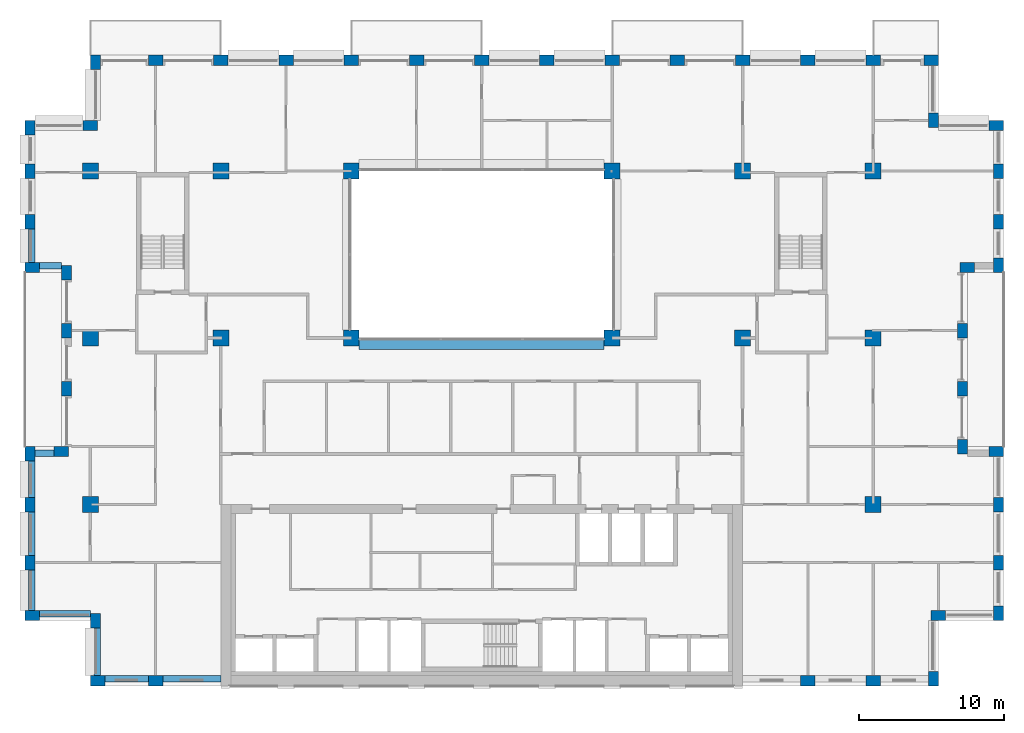
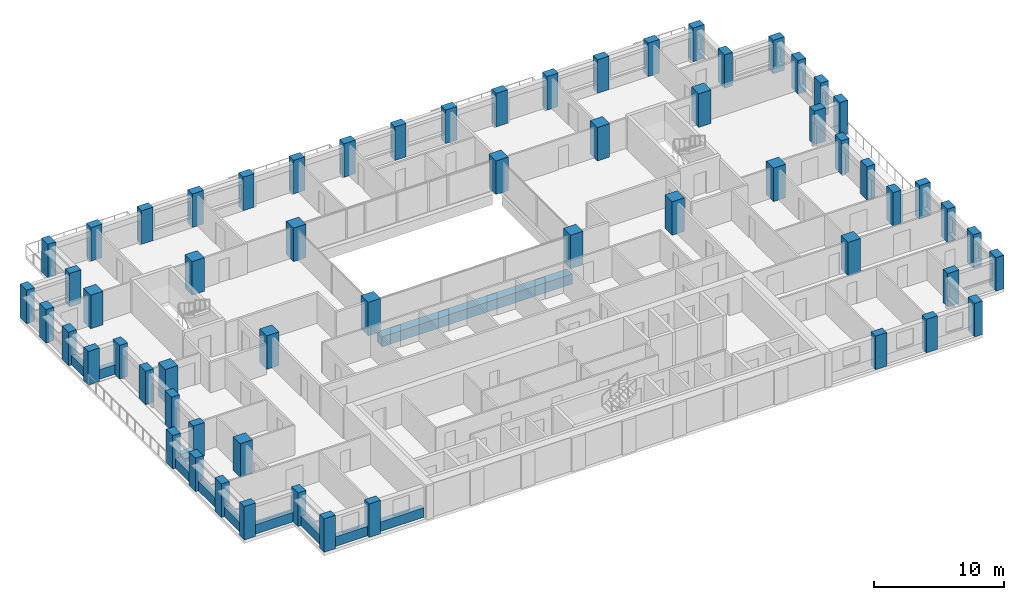
# One storey, part 1 of 15: 61 columns, 11 beams.
"""IFC4 building model written with IfcOpenShell, lengths in metres."""

from ifc_helpers import new_model, si_unit, direction, frame, origin, origin_2d, place, context, subcontext, project, spatial, rectangle, extrude, material, material_profile, profile_set, type_object, element, save


model = new_model("IFC4")

# Units and contexts
model_context = context("Model", 3, precision=1e-05, world=origin(), true_north=direction((0.0, 1.0)))
body_context = subcontext(model_context, "Body", "Model", "MODEL_VIEW")
ifc_project = project(units=[si_unit("LENGTHUNIT", "METRE"), si_unit("AREAUNIT", "SQUARE_METRE"), si_unit("VOLUMEUNIT", "CUBIC_METRE"), si_unit("PLANEANGLEUNIT", "RADIAN"), si_unit("MASSUNIT", "GRAM", prefix="KILO")], contexts=[model_context])

# Site, building, storey
site_placement = place(None, origin())
site = spatial("IfcSite", under=ifc_project, at=site_placement, CompositionType="ELEMENT")
building_placement = place(site_placement, origin())
building = spatial("IfcBuilding", under=site, at=building_placement, Name="Brigalow Station Residences", CompositionType="ELEMENT")
storey_placement = place(building_placement, frame((0.0, 0.0, 172.800048828125)))
storey = spatial("IfcBuildingStorey", under=building, at=storey_placement, Name="L50", CompositionType="ELEMENT", Elevation=172.800048828125)

# Columns
ifc_material_1 = material(Name="Concrete C65", Category="concrete")
ifc_material_profile_1 = material_profile(ifc_material_1, rectangle(XDim=1.10009765625, YDim=1.10009765625, at=origin_2d()), Name="RC1100x1100")
ifc_profile_set_1 = profile_set([ifc_material_profile_1], Name="Concrete C65")
column_type_1 = type_object("IfcColumnType", Name="COLUMN 1100x1100 C65", PredefinedType="COLUMN", material=ifc_profile_set_1)
for number, where, z_axis, x_axis, name in (
    (1, (9.0, 24.0, 0.0), (0.0, 0.0, 1.0), (1.0, 0.0, 0.0), "COLUMN C1 L50"),
    (2, (18.0, 24.0, 0.0), (0.0, 0.0, 1.0), (1.0, 0.0, 0.0), "COLUMN C2 L50"),
    (3, (27.0, 24.0, 0.0), (0.0, 0.0, 1.0), (1.0, 0.0, 0.0), "COLUMN C3 L50"),
    (4, (45.0, 24.0, 0.0), (0.0, 0.0, 1.0), (1.0, 0.0, 0.0), "COLUMN C5 L50"),
    (5, (54.0, 24.0, 0.0), (0.0, 0.0, 1.0), (1.0, 0.0, 0.0), "COLUMN C6 L50"),
    (6, (63.0, 24.0, 0.0), (0.0, 0.0, 1.0), (1.0, 0.0, 0.0), "COLUMN C7 L50"),
    (7, (9.0, 35.5, 0.0), (0.0, 0.0, 1.0), (1.0, 0.0, 0.0), "COLUMN D1 L50"),
    (8, (18.0, 35.5, 0.0), (0.0, 0.0, 1.0), (1.0, 0.0, 0.0), "COLUMN D2 L50"),
    (9, (27.0, 35.5, 0.0), (0.0, 0.0, 1.0), (1.0, 0.0, 0.0), "COLUMN D3 L50"),
    (10, (45.0, 35.5, 0.0), (0.0, 0.0, 1.0), (1.0, 0.0, 0.0), "COLUMN D5 L50"),
    (11, (54.0, 35.5, 0.0), (0.0, 0.0, 1.0), (1.0, 0.0, 0.0), "COLUMN D6 L50"),
    (12, (63.0, 35.5, 0.0), (0.0, 0.0, 1.0), (1.0, 0.0, 0.0), "COLUMN D7 L50"),
    (13, (9.0, 12.5, 0.0), (0.0, 0.0, 1.0), (1.0, 0.0, 0.0), "COLUMN B1 L50"),
    (14, (63.0, 12.5, 0.0), (0.0, 0.0, 1.0), (1.0, 0.0, 0.0), "COLUMN B7 L50"),
):
    element("IfcColumn", number, at=place(storey_placement, frame(where, z_axis=z_axis, x_axis=x_axis)), inside=storey, type_object=column_type_1, Name=name, PredefinedType="COLUMN", context=body_context, shape_type="SweptSolid", body=[
        extrude(rectangle(XDim=1.10009765625, YDim=1.10009765625, at=origin_2d()), origin(), (0.0, 0.0, 1.0), 3.14990234375),
    ])
ifc_material_2 = material(Name="Concrete C65", Category="concrete")
ifc_material_profile_2 = material_profile(ifc_material_2, rectangle(XDim=1.0, YDim=0.699951171875, at=origin_2d()), Name="RC1000x700")
ifc_profile_set_2 = profile_set([ifc_material_profile_2], Name="Concrete C65")
column_type_2 = type_object("IfcColumnType", Name="PIER 1000x700 C65", PredefinedType="USERDEFINED", material=ifc_profile_set_2)
for number, where, z_axis, x_axis, name in (
    (15, (9.5, 0.35009765625, 0.0), (0.0, 0.0, 1.0), (1.0, 0.0, 0.0), "PIER S-1 L50"),
    (16, (13.5, 0.35009765625, 0.0), (0.0, 0.0, 1.0), (1.0, 0.0, 0.0), "PIER S-2 L50"),
    (17, (58.5, 0.35009765625, 0.0), (0.0, 0.0, 1.0), (1.0, 0.0, 0.0), "PIER S-12 L50"),
    (18, (63.0, 0.35009765625, 0.0), (0.0, 0.0, 1.0), (1.0, 0.0, 0.0), "PIER S-13 L50"),
    (19, (67.14990234375, 0.5, 0.0), (0.0, 0.0, 1.0), (0.0, 1.0, 0.0), "PIER SE1-1 L50"),
    (20, (67.5, 4.85009765625, 0.0), (0.0, 0.0, 1.0), (1.0, 0.0, 0.0), "PIER SE2-1 L50"),
    (21, (71.64990234375, 5.0, 0.0), (0.0, 0.0, 1.0), (0.0, 1.0, 0.0), "PIER E1-1 L50"),
    (22, (71.64990234375, 8.5, 0.0), (0.0, 0.0, 1.0), (0.0, 1.0, 0.0), "PIER E1-2 L50"),
    (23, (71.64990234375, 12.5, 0.0), (0.0, 0.0, 1.0), (0.0, 1.0, 0.0), "PIER E1-3 L50"),
    (24, (71.5, 16.14990234375, 0.0), (0.0, 0.0, 1.0), (-1.0, 0.0, 0.0), "PIER EL1-1 L50"),
    (25, (69.14990234375, 16.5, 0.0), (0.0, 0.0, 1.0), (0.0, 1.0, 0.0), "PIER EL2-1 L50"),
    (26, (69.14990234375, 20.5, 0.0), (0.0, 0.0, 1.0), (0.0, 1.0, 0.0), "PIER EL2-2 L50"),
    (27, (69.14990234375, 24.5, 0.0), (0.0, 0.0, 1.0), (0.0, 1.0, 0.0), "PIER EL2-3 L50"),
    (28, (69.5, 28.85009765625, 0.0), (0.0, 0.0, 1.0), (1.0, 0.0, 0.0), "PIER EL3-1 L50"),
    (29, (71.64990234375, 29.0, 0.0), (0.0, 0.0, 1.0), (0.0, 1.0, 0.0), "PIER E2-1 L50"),
    (30, (71.64990234375, 32.0, 0.0), (0.0, 0.0, 1.0), (0.0, 1.0, 0.0), "PIER E2-2 L50"),
    (31, (71.64990234375, 35.5, 0.0), (0.0, 0.0, 1.0), (0.0, 1.0, 0.0), "PIER E2-3 L50"),
    (32, (71.5, 38.64990234375, 0.0), (0.0, 0.0, 1.0), (-1.0, 0.0, 0.0), "PIER NE1-1 L50"),
    (33, (67.14990234375, 39.0, 0.0), (0.0, 0.0, 1.0), (0.0, 1.0, 0.0), "PIER NE2-1 L50"),
    (34, (67.0, 43.14990234375, 0.0), (0.0, 0.0, 1.0), (-1.0, 0.0, 0.0), "PIER N-1 L50"),
    (35, (63.0, 43.14990234375, 0.0), (0.0, 0.0, 1.0), (-1.0, 0.0, 0.0), "PIER N-2 L50"),
    (36, (58.5, 43.14990234375, 0.0), (0.0, 0.0, 1.0), (-1.0, 0.0, 0.0), "PIER N-3 L50"),
    (37, (54.0, 43.14990234375, 0.0), (0.0, 0.0, 1.0), (-1.0, 0.0, 0.0), "PIER N-4 L50"),
    (38, (49.5, 43.14990234375, 0.0), (0.0, 0.0, 1.0), (-1.0, 0.0, 0.0), "PIER N-5 L50"),
    (39, (45.0, 43.14990234375, 0.0), (0.0, 0.0, 1.0), (-1.0, 0.0, 0.0), "PIER N-6 L50"),
    (40, (40.5, 43.14990234375, 0.0), (0.0, 0.0, 1.0), (-1.0, 0.0, 0.0), "PIER N-7 L50"),
    (41, (36.0, 43.14990234375, 0.0), (0.0, 0.0, 1.0), (-1.0, 0.0, 0.0), "PIER N-8 L50"),
    (42, (31.5, 43.14990234375, 0.0), (0.0, 0.0, 1.0), (-1.0, 0.0, 0.0), "PIER N-9 L50"),
    (43, (27.0, 43.14990234375, 0.0), (0.0, 0.0, 1.0), (-1.0, 0.0, 0.0), "PIER N-10 L50"),
    (44, (22.5, 43.14990234375, 0.0), (0.0, 0.0, 1.0), (-1.0, 0.0, 0.0), "PIER N-11 L50"),
    (45, (18.0, 43.14990234375, 0.0), (0.0, 0.0, 1.0), (-1.0, 0.0, 0.0), "PIER N-12 L50"),
    (46, (13.5, 43.14990234375, 0.0), (0.0, 0.0, 1.0), (-1.0, 0.0, 0.0), "PIER N-13 L50"),
    (47, (9.35009765625, 43.0, 0.0), (0.0, 0.0, 1.0), (0.0, -1.0, 0.0), "PIER NW1-1 L50"),
    (48, (9.0, 38.64990234375, 0.0), (0.0, 0.0, 1.0), (-1.0, 0.0, 0.0), "PIER NW2-1 L50"),
    (49, (4.85009765625, 38.5, 0.0), (0.0, 0.0, 1.0), (0.0, -1.0, 0.0), "PIER W2-1 L50"),
    (50, (4.85009765625, 35.5, 0.0), (0.0, 0.0, 1.0), (0.0, -1.0, 0.0), "PIER W2-2 L50"),
    (51, (4.85009765625, 32.0, 0.0), (0.0, 0.0, 1.0), (0.0, -1.0, 0.0), "PIER W2-3 L50"),
    (52, (5.0, 28.85009765625, 0.0), (0.0, 0.0, 1.0), (1.0, 0.0, 0.0), "PIER WL1-1 L50"),
    (53, (7.35009765625, 28.5, 0.0), (0.0, 0.0, 1.0), (0.0, -1.0, 0.0), "PIER WL2-1 L50"),
    (54, (7.35009765625, 24.5, 0.0), (0.0, 0.0, 1.0), (0.0, -1.0, 0.0), "PIER WL2-2 L50"),
    (55, (7.35009765625, 20.5, 0.0), (0.0, 0.0, 1.0), (0.0, -1.0, 0.0), "PIER WL2-3 L50"),
    (56, (7.0, 16.14990234375, 0.0), (0.0, 0.0, 1.0), (-1.0, 0.0, 0.0), "PIER WL3-1 L50"),
    (57, (4.85009765625, 16.0, 0.0), (0.0, 0.0, 1.0), (0.0, -1.0, 0.0), "PIER W1-1 L50"),
    (58, (4.85009765625, 12.5, 0.0), (0.0, 0.0, 1.0), (0.0, -1.0, 0.0), "PIER W1-2 L50"),
    (59, (4.85009765625, 8.5, 0.0), (0.0, 0.0, 1.0), (0.0, -1.0, 0.0), "PIER W1-3 L50"),
    (60, (5.0, 4.85009765625, 0.0), (0.0, 0.0, 1.0), (1.0, 0.0, 0.0), "PIER SW1-1 L50"),
    (61, (9.35009765625, 4.5, 0.0), (0.0, 0.0, 1.0), (0.0, -1.0, 0.0), "PIER SW2-1 L50"),
):
    element("IfcColumn", number, at=place(storey_placement, frame(where, z_axis=z_axis, x_axis=x_axis)), inside=storey, type_object=column_type_2, Name=name, ObjectType="PIER", PredefinedType="USERDEFINED", context=body_context, shape_type="SweptSolid", body=[
        extrude(rectangle(XDim=1.0, YDim=0.699951171875, at=origin_2d()), origin(), (0.0, 0.0, 1.0), 3.14990234375),
    ])

# Beams
ifc_material_3 = material(Name="Concrete C65", Category="concrete")
ifc_material_profile_3 = material_profile(ifc_material_3, rectangle(XDim=0.800048828125, YDim=0.949951171875, at=origin_2d()), Name="RC800x950")
ifc_profile_set_3 = profile_set([ifc_material_profile_3], Name="Concrete C65")
beam_type_1 = type_object("IfcBeamType", Name="ATRIUM EDGE GIRDER OVER 13.5 M SPAN 800x950 C65", PredefinedType="BEAM", material=ifc_profile_set_3)
beam_1_placement = place(storey_placement, frame((27.550048828125, 23.60009765625, -0.795166015625), z_axis=(1.0, 0.0, 0.0), x_axis=(0.0, 1.0, 0.0)))
element("IfcBeam", 62, at=beam_1_placement, inside=storey, type_object=beam_type_1, Name="ATRIUM EDGE GIRDER C L50", PredefinedType="BEAM", context=body_context, shape_type="SweptSolid", body=[
    extrude(rectangle(XDim=0.800048828125, YDim=0.949951171875, at=origin_2d()), origin(), (0.0, 0.0, 1.0), 16.89990234375),
])
ifc_material_4 = material(Name="Concrete C50", Category="concrete")
ifc_material_profile_4 = material_profile(ifc_material_4, rectangle(XDim=0.449951171875, YDim=0.89990234375, at=origin_2d()), Name="RC450x900")
ifc_profile_set_4 = profile_set([ifc_material_profile_4], Name="Concrete C50")
beam_type_2 = type_object("IfcBeamType", Name="SPANDREL BEAM 450x900 C50", PredefinedType="SPANDREL", material=ifc_profile_set_4)
beam_2_placement = place(storey_placement, frame((10.0, 0.47509765625, 0.449951171875), z_axis=(1.0, 0.0, 0.0), x_axis=(0.0, 1.0, 0.0)))
element("IfcBeam", 63, at=beam_2_placement, inside=storey, type_object=beam_type_2, Name="L50/spandrel/W-L50-1", PredefinedType="SPANDREL", context=body_context, shape_type="SweptSolid", body=[
    extrude(rectangle(XDim=0.449951171875, YDim=0.89990234375, at=origin_2d()), origin(), (0.0, 0.0, 1.0), 3.0),
])
beam_3_placement = place(storey_placement, frame((14.0, 0.47509765625, 0.449951171875), z_axis=(1.0, 0.0, 0.0), x_axis=(0.0, 1.0, 0.0)))
element("IfcBeam", 64, at=beam_3_placement, inside=storey, type_object=beam_type_2, Name="L50/spandrel/W-L50-2", PredefinedType="SPANDREL", context=body_context, shape_type="SweptSolid", body=[
    extrude(rectangle(XDim=0.449951171875, YDim=0.89990234375, at=origin_2d()), origin(), (0.0, 0.0, 1.0), 4.0),
])
beam_4_placement = place(storey_placement, frame((4.97509765625, 31.5, 0.449951171875), z_axis=(0.0, -1.0, 0.0), x_axis=(1.0, 0.0, 0.0)))
element("IfcBeam", 65, at=beam_4_placement, inside=storey, type_object=beam_type_2, Name="L50/spandrel/W-L50-39", PredefinedType="SPANDREL", context=body_context, shape_type="SweptSolid", body=[
    extrude(rectangle(XDim=0.449951171875, YDim=0.89990234375, at=origin_2d()), origin(), (0.0, 0.0, 1.0), 2.300048828125),
])
beam_5_placement = place(storey_placement, frame((5.5, 28.97509765625, 0.449951171875), z_axis=(1.0, 0.0, 0.0), x_axis=(0.0, 1.0, 0.0)))
element("IfcBeam", 66, at=beam_5_placement, inside=storey, type_object=beam_type_2, Name="L50/spandrel/W-L50-40", PredefinedType="SPANDREL", context=body_context, shape_type="SweptSolid", body=[
    extrude(rectangle(XDim=0.449951171875, YDim=0.89990234375, at=origin_2d()), origin(), (0.0, 0.0, 1.0), 1.5),
])
beam_6_placement = place(storey_placement, frame((6.5, 16.02490234375, 0.449951171875), z_axis=(-1.0, 0.0, 0.0), x_axis=(0.0, -1.0, 0.0)))
element("IfcBeam", 67, at=beam_6_placement, inside=storey, type_object=beam_type_2, Name="L50/spandrel/W-L50-44", PredefinedType="SPANDREL", context=body_context, shape_type="SweptSolid", body=[
    extrude(rectangle(XDim=0.449951171875, YDim=0.89990234375, at=origin_2d()), origin(), (0.0, 0.0, 1.0), 1.300048828125),
])
beam_7_placement = place(storey_placement, frame((4.97509765625, 15.5, 0.449951171875), z_axis=(0.0, -1.0, 0.0), x_axis=(1.0, 0.0, 0.0)))
element("IfcBeam", 68, at=beam_7_placement, inside=storey, type_object=beam_type_2, Name="L50/spandrel/W-L50-45", PredefinedType="SPANDREL", context=body_context, shape_type="SweptSolid", body=[
    extrude(rectangle(XDim=0.449951171875, YDim=0.89990234375, at=origin_2d()), origin(), (0.0, 0.0, 1.0), 2.5),
])
beam_8_placement = place(storey_placement, frame((4.97509765625, 12.0, 0.449951171875), z_axis=(0.0, -1.0, 0.0), x_axis=(1.0, 0.0, 0.0)))
element("IfcBeam", 69, at=beam_8_placement, inside=storey, type_object=beam_type_2, Name="L50/spandrel/W-L50-46", PredefinedType="SPANDREL", context=body_context, shape_type="SweptSolid", body=[
    extrude(rectangle(XDim=0.449951171875, YDim=0.89990234375, at=origin_2d()), origin(), (0.0, 0.0, 1.0), 3.0),
])
beam_9_placement = place(storey_placement, frame((4.97509765625, 8.0, 0.449951171875), z_axis=(0.0, -1.0, 0.0), x_axis=(1.0, 0.0, 0.0)))
element("IfcBeam", 70, at=beam_9_placement, inside=storey, type_object=beam_type_2, Name="L50/spandrel/W-L50-47", PredefinedType="SPANDREL", context=body_context, shape_type="SweptSolid", body=[
    extrude(rectangle(XDim=0.449951171875, YDim=0.89990234375, at=origin_2d()), origin(), (0.0, 0.0, 1.0), 2.800048828125),
])
beam_10_placement = place(storey_placement, frame((5.5, 4.97509765625, 0.449951171875), z_axis=(1.0, 0.0, 0.0), x_axis=(0.0, 1.0, 0.0)))
element("IfcBeam", 71, at=beam_10_placement, inside=storey, type_object=beam_type_2, Name="L50/spandrel/W-L50-48", PredefinedType="SPANDREL", context=body_context, shape_type="SweptSolid", body=[
    extrude(rectangle(XDim=0.449951171875, YDim=0.89990234375, at=origin_2d()), origin(), (0.0, 0.0, 1.0), 3.5),
])
beam_11_placement = place(storey_placement, frame((9.47509765625, 4.0, 0.449951171875), z_axis=(0.0, -1.0, 0.0), x_axis=(1.0, 0.0, 0.0)))
element("IfcBeam", 72, at=beam_11_placement, inside=storey, type_object=beam_type_2, Name="L50/spandrel/W-L50-49", PredefinedType="SPANDREL", context=body_context, shape_type="SweptSolid", body=[
    extrude(rectangle(XDim=0.449951171875, YDim=0.89990234375, at=origin_2d()), origin(), (0.0, 0.0, 1.0), 3.300048828125),
])

save(model, "model.ifc")
